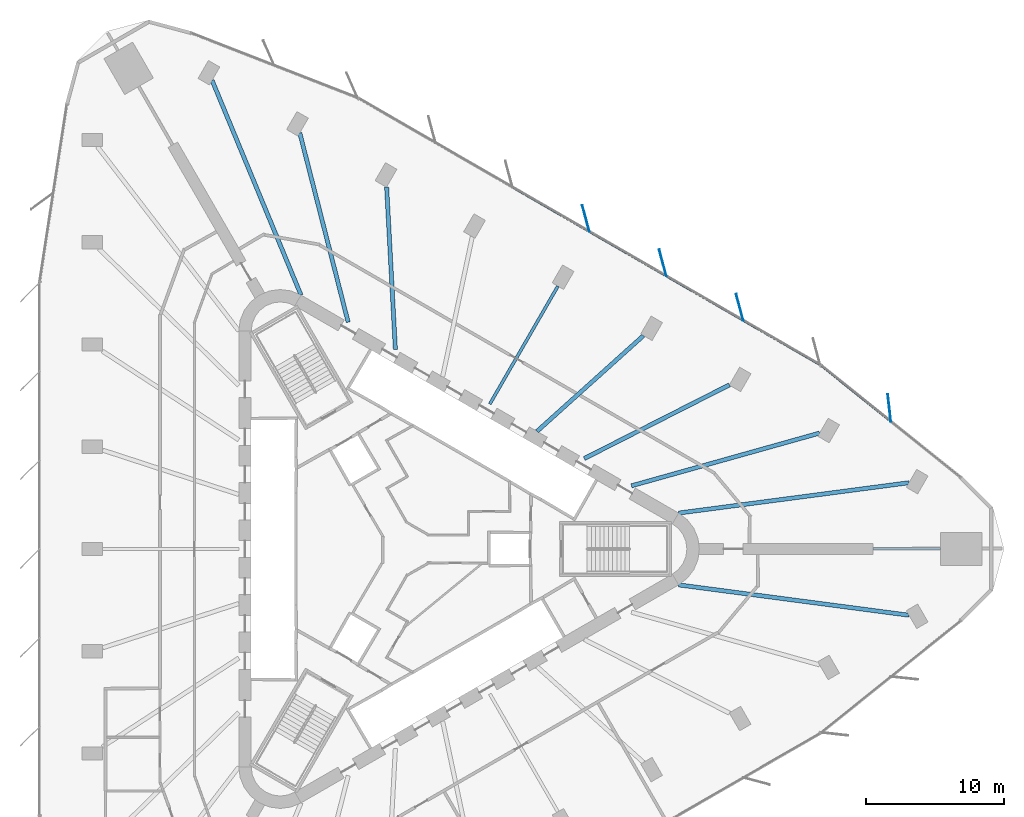
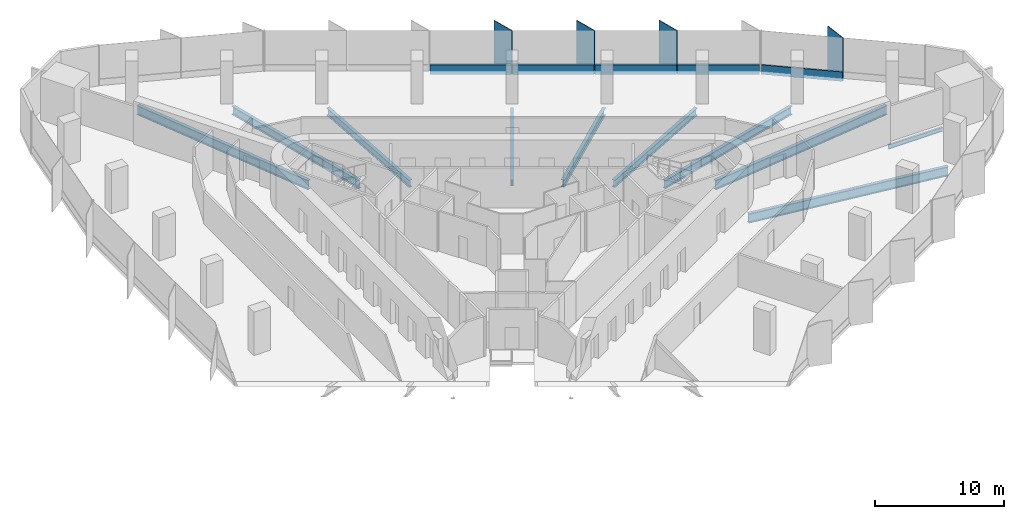
# One storey, part 5 of 15: 10 beams, 9 members, 2 elements without a shape of their own.
"""IFC4 building model written with IfcOpenShell, lengths in metres."""

from ifc_helpers import new_model, si_unit, direction, frame, origin, origin_2d, place, context, subcontext, project, spatial, rectangle, i_section, extrude, material, material_profile, profile_set, type_object, element, aggregate, save


model = new_model("IFC4")

# Units and contexts
model_context = context("Model", 3, precision=1e-05, world=origin(), true_north=direction((0.0, 1.0)))
body_context = subcontext(model_context, "Body", "Model", "MODEL_VIEW")
ifc_project = project(units=[si_unit("LENGTHUNIT", "METRE"), si_unit("AREAUNIT", "SQUARE_METRE"), si_unit("VOLUMEUNIT", "CUBIC_METRE"), si_unit("PLANEANGLEUNIT", "RADIAN"), si_unit("MASSUNIT", "GRAM", prefix="KILO")], contexts=[model_context])

# Site, building, storey
site_placement = place(None, origin())
site = spatial("IfcSite", under=ifc_project, at=site_placement, CompositionType="ELEMENT")
building_placement = place(site_placement, origin())
building = spatial("IfcBuilding", under=site, at=building_placement, Name="Tanit Gate Tower", CompositionType="ELEMENT")
storey_placement = place(building_placement, frame((0.0, 0.0, 139.800048828125)))
storey = spatial("IfcBuildingStorey", under=building, at=storey_placement, Name="L30", CompositionType="ELEMENT", Elevation=139.800048828125)

# Curtain wall, member
ifc_material_1 = material(Name="Aluminium bronze anodised and glass", Category="aluminium")
curtain_wall_type = type_object("IfcCurtainWallType", Name="Curtain wall typical low", PredefinedType="NOTDEFINED", material=ifc_material_1)
curtain_wall_1_placement = place(storey_placement, origin())
curtain_wall_1 = element("IfcCurtainWall", 1, at=curtain_wall_1_placement, inside=storey, type_object=curtain_wall_type, Name="Curtain wall L30 NE1", PredefinedType="NOTDEFINED")
ifc_material_2 = material(Name="Aluminium bronze anodised", Category="aluminium")
ifc_material_profile_1 = material_profile(ifc_material_2, rectangle(XDim=2.0, YDim=0.055908203125, at=origin_2d()), Name="56x2000 bronze fin mullion")
ifc_profile_set_1 = profile_set([ifc_material_profile_1], Name="Aluminium bronze anodised")
member_type_1 = type_object("IfcMemberType", Name="FIN MULLION 56x2000 bronze", PredefinedType="MULLION", material=ifc_profile_set_1)
member_1_placement = place(storey_placement, frame((34.93798828125, 10.1962890625, -0.300048828125), z_axis=(0.0, 0.0, 1.0), x_axis=(0.109185281968, -0.994021415364, 0.0)))
member_1 = element("IfcMember", 2, at=member_1_placement, type_object=member_type_1, Name="Fin mullion L30 NE1.2", PredefinedType="MULLION", context=body_context, shape_type="SweptSolid", body=[
    extrude(rectangle(XDim=2.0, YDim=0.055908203125, at=origin_2d()), origin(), (0.0, 0.0, 1.0), 4.10009765625),
])

# Curtain wall, members
curtain_wall_2_placement = place(storey_placement, origin())
curtain_wall_2 = element("IfcCurtainWall", 3, at=curtain_wall_2_placement, inside=storey, type_object=curtain_wall_type, Name="Curtain wall L30 NE2", PredefinedType="NOTDEFINED")
member_2_placement = place(storey_placement, frame((24.120361328125, 17.47119140625, -0.300048828125), z_axis=(0.0, 0.0, 1.0), x_axis=(0.25875206837, -0.965943770162, 0.0)))
member_2 = element("IfcMember", 4, at=member_2_placement, type_object=member_type_1, Name="Fin mullion L30 NE2.2", PredefinedType="MULLION", context=body_context, shape_type="SweptSolid", body=[
    extrude(rectangle(XDim=2.0, YDim=0.055908203125, at=origin_2d()), origin(), (0.0, 0.0, 1.0), 4.10009765625),
])
member_3_placement = place(storey_placement, frame((18.558837890625, 20.6826171875, -0.300048828125), z_axis=(0.0, 0.0, 1.0), x_axis=(0.25875206837, -0.965943770162, 0.0)))
member_3 = element("IfcMember", 5, at=member_3_placement, type_object=member_type_1, Name="Fin mullion L30 NE2.3", PredefinedType="MULLION", context=body_context, shape_type="SweptSolid", body=[
    extrude(rectangle(XDim=2.0, YDim=0.055908203125, at=origin_2d()), origin(), (0.0, 0.0, 1.0), 4.10009765625),
])
member_4_placement = place(storey_placement, frame((12.997314453125, 23.89404296875, -0.300048828125), z_axis=(0.0, 0.0, 1.0), x_axis=(0.25875206837, -0.965943770162, 0.0)))
member_4 = element("IfcMember", 6, at=member_4_placement, type_object=member_type_1, Name="Fin mullion L30 NE2.4", PredefinedType="MULLION", context=body_context, shape_type="SweptSolid", body=[
    extrude(rectangle(XDim=2.0, YDim=0.055908203125, at=origin_2d()), origin(), (0.0, 0.0, 1.0), 4.10009765625),
])

# Beams
ifc_material_3 = material(Name="Steel S355", Category="steel")
ifc_material_profile_2 = material_profile(ifc_material_3, i_section(OverallWidth=0.300048828125, OverallDepth=0.68994140625, WebThickness=0.014404296875, FlangeThickness=0.027099609375, FilletRadius=0.027099609375, at=origin_2d()), Name="HEA 700")
ifc_profile_set_2 = profile_set([ifc_material_profile_2], Name="Steel S355")
beam_type_1 = type_object("IfcBeamType", Name="RADIAL GIRDER HEA 700 S355", PredefinedType="BEAM", material=ifc_profile_set_2)
beam_1_placement = place(storey_placement, frame((23.3720703125, 11.865966796875, -0.64501953125), z_axis=(-0.891663548412, -0.452698703813, 0.0), x_axis=(0.452698703813, -0.891663548412, 0.0)))
element("IfcBeam", 7, at=beam_1_placement, inside=storey, type_object=beam_type_1, Name="RADIAL GIRDER", PredefinedType="BEAM", context=body_context, shape_type="SweptSolid", body=[
    extrude(i_section(OverallWidth=0.300048828125, OverallDepth=0.68994140625, WebThickness=0.014404296875, FlangeThickness=0.027099609375, FilletRadius=0.027099609375, at=origin_2d()), origin(), (0.0, 0.0, 1.0), 11.76806640625),
])
beam_2_placement = place(storey_placement, frame((17.16015625, 15.427978515625, -0.64501953125), z_axis=(-0.743635434567, -0.668585327731, 0.0), x_axis=(0.668585327731, -0.743635434567, 0.0)))
element("IfcBeam", 8, at=beam_2_placement, inside=storey, type_object=beam_type_1, Name="RADIAL GIRDER", PredefinedType="BEAM", context=body_context, shape_type="SweptSolid", body=[
    extrude(i_section(OverallWidth=0.300048828125, OverallDepth=0.68994140625, WebThickness=0.014404296875, FlangeThickness=0.027099609375, FilletRadius=0.027099609375, at=origin_2d()), origin(), (0.0, 0.0, 1.0), 10.347900390625),
])
beam_3_placement = place(storey_placement, frame((-1.409912109375, 26.173828125, -0.64501953125), z_axis=(0.053793562389, -0.998552078084, 0.0), x_axis=(0.998552078084, 0.053793562389, 0.0)))
element("IfcBeam", 9, at=beam_3_placement, inside=storey, type_object=beam_type_1, Name="RADIAL GIRDER", PredefinedType="BEAM", context=body_context, shape_type="SweptSolid", body=[
    extrude(i_section(OverallWidth=0.300048828125, OverallDepth=0.68994140625, WebThickness=0.014404296875, FlangeThickness=0.027099609375, FilletRadius=0.027099609375, at=origin_2d()), origin(), (0.0, 0.0, 1.0), 11.768310546875),
])
ifc_material_4 = material(Name="Steel S355", Category="steel")
ifc_material_profile_3 = material_profile(ifc_material_4, i_section(OverallWidth=0.300048828125, OverallDepth=0.7900390625, WebThickness=0.014892578125, FlangeThickness=0.028076171875, FilletRadius=0.030029296875, at=origin_2d()), Name="HEA 800")
ifc_profile_set_3 = profile_set([ifc_material_profile_3], Name="Steel S355")
beam_type_2 = type_object("IfcBeamType", Name="RADIAL GIRDER HEA 800 S355", PredefinedType="BEAM", material=ifc_profile_set_3)
for number, where, z_axis, x_axis, name in (
    (10, (29.894775390625, 8.380615234375, -0.695068359375), (-0.962877094129, -0.269940181523, 0.0), (0.269940181523, -0.962877094129, 0.0), "RADIAL GIRDER"),
    (11, (-7.689697265625, 30.079833984375, -0.695068359375), (0.247680464788, -0.968841776227, 0.0), (0.968841776227, 0.247680464788, 0.0), "RADIAL GIRDER"),
):
    element("IfcBeam", number, at=place(storey_placement, frame(where, z_axis=z_axis, x_axis=x_axis)), inside=storey, type_object=beam_type_2, Name=name, PredefinedType="BEAM", context=body_context, shape_type="SweptSolid", body=[
        extrude(i_section(OverallWidth=0.300048828125, OverallDepth=0.7900390625, WebThickness=0.014892578125, FlangeThickness=0.028076171875, FilletRadius=0.030029296875, at=origin_2d()), origin(), (0.0, 0.0, 1.0), 14.126220703125),
    ])
ifc_material_5 = material(Name="Steel S355", Category="steel")
ifc_material_profile_4 = material_profile(ifc_material_5, i_section(OverallWidth=0.300048828125, OverallDepth=0.889892578125, WebThickness=0.01611328125, FlangeThickness=0.030029296875, FilletRadius=0.030029296875, at=origin_2d()), Name="HEA 900")
ifc_profile_set_4 = profile_set([ifc_material_profile_4], Name="Steel S355")
beam_type_3 = type_object("IfcBeamType", Name="RADIAL GIRDER HEA 900 S355", PredefinedType="BEAM", material=ifc_profile_set_4)
for number, where, z_axis, x_axis, name in (
    (12, (36.356689453125, -4.790283203125, -0.7451171875), (-0.991429984953, 0.130639140137, 0.0), (-0.130639140137, -0.991429984953, 0.0), "RADIAL GIRDER"),
    (13, (36.356689453125, 4.790283203125, -0.7451171875), (-0.991429984953, -0.130639140137, 0.0), (0.130639140137, -0.991429984953, 0.0), "RADIAL GIRDER"),
):
    element("IfcBeam", number, at=place(storey_placement, frame(where, z_axis=z_axis, x_axis=x_axis)), inside=storey, type_object=beam_type_3, Name=name, PredefinedType="BEAM", context=body_context, shape_type="SweptSolid", body=[
        extrude(i_section(OverallWidth=0.300048828125, OverallDepth=0.889892578125, WebThickness=0.01611328125, FlangeThickness=0.030029296875, FilletRadius=0.030029296875, at=origin_2d()), origin(), (0.0, 0.0, 1.0), 16.795166015625),
    ])
beam_4_placement = place(storey_placement, frame((-14.030029296875, 33.880859375, -0.7451171875), z_axis=(0.382589309945, -0.923918513677, 0.0), x_axis=(0.923918513677, 0.382589309945, 0.0)))
element("IfcBeam", 14, at=beam_4_placement, inside=storey, type_object=beam_type_3, Name="RADIAL GIRDER", PredefinedType="BEAM", context=body_context, shape_type="SweptSolid", body=[
    extrude(i_section(OverallWidth=0.300048828125, OverallDepth=0.889892578125, WebThickness=0.01611328125, FlangeThickness=0.030029296875, FilletRadius=0.030029296875, at=origin_2d()), origin(), (0.0, 0.0, 1.0), 16.794921875),
])
ifc_material_6 = material(Name="Steel S355", Category="steel")
ifc_material_profile_5 = material_profile(ifc_material_6, i_section(OverallWidth=0.179931640625, OverallDepth=0.39990234375, WebThickness=0.008544921875, FlangeThickness=0.013427734375, FilletRadius=0.02099609375, at=origin_2d()), Name="IPE 400")
ifc_profile_set_5 = profile_set([ifc_material_profile_5], Name="Steel S355")
beam_type_4 = type_object("IfcBeamType", Name="RADIAL GIRDER IPE 400 S355", PredefinedType="BEAM", material=ifc_profile_set_5)
beam_5_placement = place(storey_placement, frame((38.627685546875, 0.0, -0.5), z_axis=(-1.0, 0.0, 0.0), x_axis=(0.0, -1.0, 0.0)))
element("IfcBeam", 15, at=beam_5_placement, inside=storey, type_object=beam_type_4, Name="RADIAL GIRDER", PredefinedType="BEAM", context=body_context, shape_type="SweptSolid", body=[
    extrude(i_section(OverallWidth=0.179931640625, OverallDepth=0.39990234375, WebThickness=0.008544921875, FlangeThickness=0.013427734375, FilletRadius=0.02099609375, at=origin_2d()), origin(), (0.0, 0.0, 1.0), 4.879638671875),
])
ifc_material_7 = material(Name="Steel S355", Category="steel")
ifc_material_profile_6 = material_profile(ifc_material_7, i_section(OverallWidth=0.219970703125, OverallDepth=0.60009765625, WebThickness=0.011962890625, FlangeThickness=0.01904296875, FilletRadius=0.02392578125, at=origin_2d()), Name="IPE 600")
ifc_profile_set_6 = profile_set([ifc_material_profile_6], Name="Steel S355")
beam_type_5 = type_object("IfcBeamType", Name="RADIAL GIRDER IPE 600 S355", PredefinedType="BEAM", material=ifc_profile_set_6)
beam_6_placement = place(storey_placement, frame((10.970703125, 19.001708984375, -0.60009765625), z_axis=(-0.500005971936, -0.866021955858, 0.0), x_axis=(0.866021955858, -0.500005971936, 0.0)))
element("IfcBeam", 16, at=beam_6_placement, inside=storey, type_object=beam_type_5, Name="RADIAL GIRDER", PredefinedType="BEAM", context=body_context, shape_type="SweptSolid", body=[
    extrude(i_section(OverallWidth=0.219970703125, OverallDepth=0.60009765625, WebThickness=0.011962890625, FlangeThickness=0.01904296875, FilletRadius=0.02392578125, at=origin_2d()), origin(), (0.0, 0.0, 1.0), 9.83935546875),
])

# Member
ifc_material_8 = material(Name="Aluminium bronze anodised", Category="aluminium")
ifc_material_profile_7 = material_profile(ifc_material_8, rectangle(XDim=0.159912109375, YDim=0.89990234375, at=origin_2d()), Name="160x900 bronze transom")
ifc_profile_set_7 = profile_set([ifc_material_profile_7], Name="Aluminium bronze anodised")
member_type_2 = type_object("IfcMemberType", Name="Transom 160x900 typical low", PredefinedType="USERDEFINED", material=ifc_profile_set_7)
member_5_placement = place(storey_placement, frame((35.013671875, 9.25, 0.14990234375), z_axis=(-0.780099910246, 0.625654960849, 0.0), x_axis=(-0.625654960849, -0.780099910246, 0.0)))
member_5 = element("IfcMember", 17, at=member_5_placement, type_object=member_type_2, Name="Transom L30 NE1.2", ObjectType="TRANSOM", PredefinedType="USERDEFINED", context=body_context, shape_type="SweptSolid", body=[
    extrude(rectangle(XDim=0.159912109375, YDim=0.89990234375, at=origin_2d()), origin(), (0.0, 0.0, 1.0), 6.38623046875),
])

aggregate(curtain_wall_1, [member_1, member_5])

member_6_placement = place(storey_placement, frame((29.900146484375, 13.335693359375, 0.14990234375), z_axis=(-0.865993258402, 0.500055673304, 0.0), x_axis=(-0.500055673304, -0.865993258402, 0.0)))
member_6 = element("IfcMember", 18, at=member_6_placement, type_object=member_type_2, Name="Transom L30 NE2.1", ObjectType="TRANSOM", PredefinedType="USERDEFINED", context=body_context, shape_type="SweptSolid", body=[
    extrude(rectangle(XDim=0.159912109375, YDim=0.89990234375, at=origin_2d()), origin(), (0.0, 0.0, 1.0), 6.342041015625),
])

member_7_placement = place(storey_placement, frame((24.338623046875, 16.547119140625, 0.14990234375), z_axis=(-0.865993258402, 0.500055673304, 0.0), x_axis=(-0.500055673304, -0.865993258402, 0.0)))
member_7 = element("IfcMember", 19, at=member_7_placement, type_object=member_type_2, Name="Transom L30 NE2.2", ObjectType="TRANSOM", PredefinedType="USERDEFINED", context=body_context, shape_type="SweptSolid", body=[
    extrude(rectangle(XDim=0.159912109375, YDim=0.89990234375, at=origin_2d()), origin(), (0.0, 0.0, 1.0), 6.342041015625),
])

member_8_placement = place(storey_placement, frame((18.777099609375, 19.758544921875, 0.14990234375), z_axis=(-0.865993258402, 0.500055673304, 0.0), x_axis=(-0.500055673304, -0.865993258402, 0.0)))
member_8 = element("IfcMember", 20, at=member_8_placement, type_object=member_type_2, Name="Transom L30 NE2.3", ObjectType="TRANSOM", PredefinedType="USERDEFINED", context=body_context, shape_type="SweptSolid", body=[
    extrude(rectangle(XDim=0.159912109375, YDim=0.89990234375, at=origin_2d()), origin(), (0.0, 0.0, 1.0), 6.342041015625),
])

member_9_placement = place(storey_placement, frame((13.215576171875, 22.969970703125, 0.14990234375), z_axis=(-0.865993258402, 0.500055673304, 0.0), x_axis=(-0.500055673304, -0.865993258402, 0.0)))
member_9 = element("IfcMember", 21, at=member_9_placement, type_object=member_type_2, Name="Transom L30 NE2.4", ObjectType="TRANSOM", PredefinedType="USERDEFINED", context=body_context, shape_type="SweptSolid", body=[
    extrude(rectangle(XDim=0.159912109375, YDim=0.89990234375, at=origin_2d()), origin(), (0.0, 0.0, 1.0), 6.342041015625),
])

aggregate(curtain_wall_2, [member_2, member_3, member_4, member_6, member_7, member_8, member_9])

save(model, "model.ifc")
